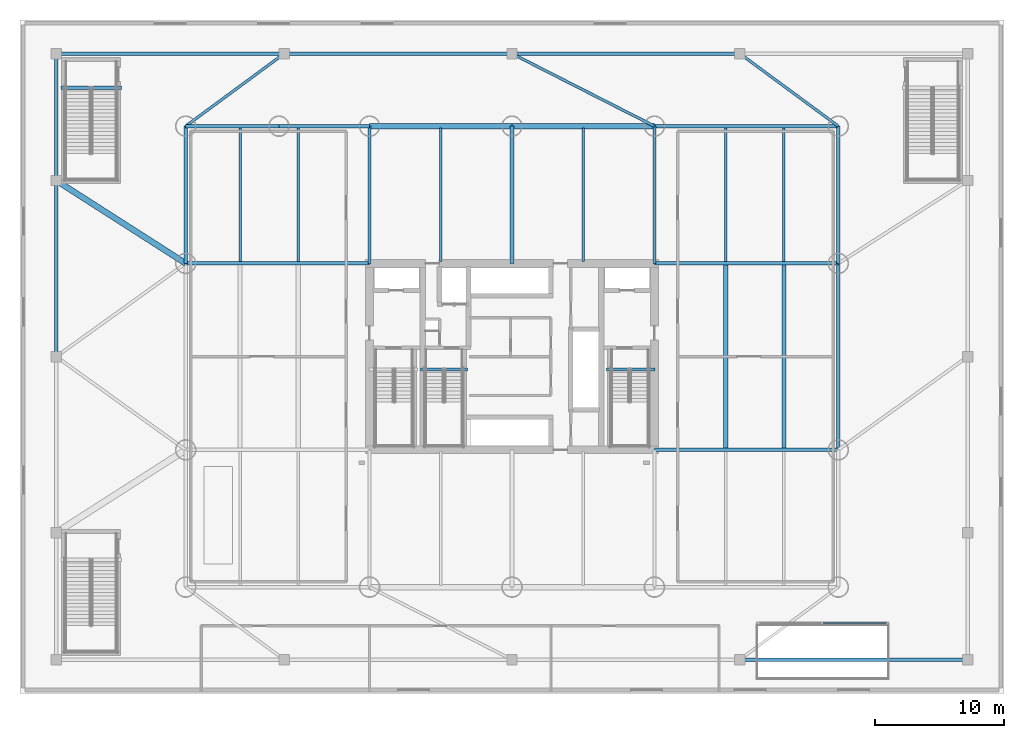
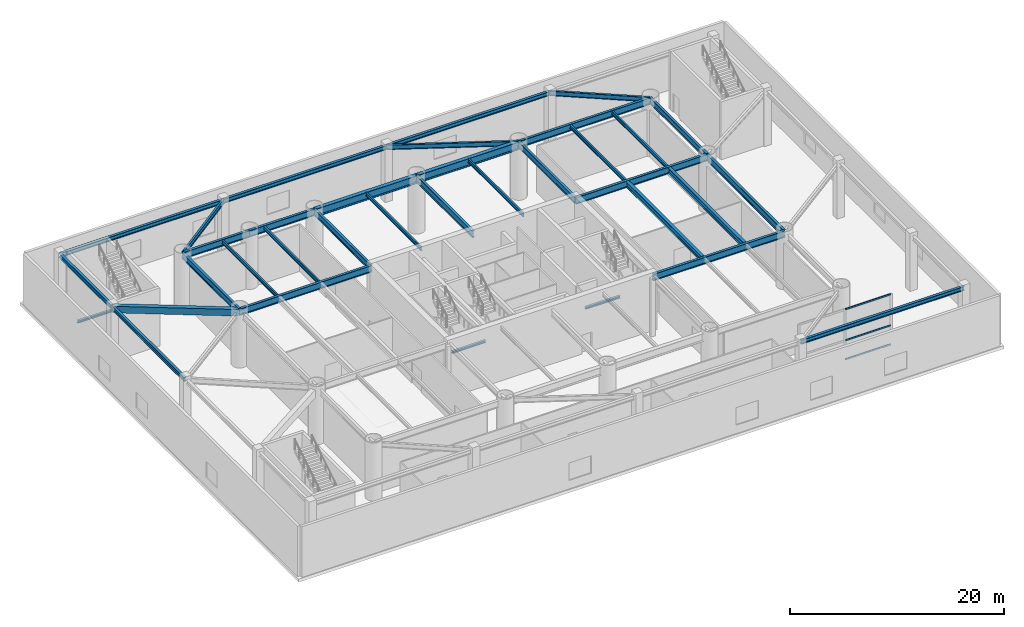
# One storey, part 3 of 16: 35 beams, 3 members, 1 element without a shape of its own.
"""IFC4 building model written with IfcOpenShell, lengths in metres."""

from ifc_helpers import new_model, si_unit, direction, frame, origin, origin_2d, place, context, subcontext, project, spatial, rectangle, hollow_rectangle, i_section, extrude, material, layer, layer_set, material_profile, profile_set, type_object, element, aggregate, save


model = new_model("IFC4")

# Units and contexts
model_context = context("Model", 3, precision=1e-05, world=origin(), true_north=direction((0.0, 1.0)))
body_context = subcontext(model_context, "Body", "Model", "MODEL_VIEW")
ifc_project = project(units=[si_unit("LENGTHUNIT", "METRE"), si_unit("AREAUNIT", "SQUARE_METRE"), si_unit("VOLUMEUNIT", "CUBIC_METRE"), si_unit("PLANEANGLEUNIT", "RADIAN"), si_unit("MASSUNIT", "GRAM", prefix="KILO")], contexts=[model_context])

# Site, building, storey
site_placement = place(None, origin())
site = spatial("IfcSite", under=ifc_project, at=site_placement, CompositionType="ELEMENT")
building_placement = place(site_placement, origin())
building = spatial("IfcBuilding", under=site, at=building_placement, Name="Bramvorn Convention Spire", CompositionType="ELEMENT")
storey_placement = place(building_placement, frame((0.0, 0.0, 12.0)))
storey = spatial("IfcBuildingStorey", under=building, at=storey_placement, Name="L02", CompositionType="ELEMENT", Elevation=12.0)

# Beams
ifc_material_1 = material(Name="Concrete C50/60", Category="concrete")
ifc_material_profile_1 = material_profile(ifc_material_1, rectangle(XDim=0.449951171875, YDim=0.75, at=origin_2d()))
ifc_profile_set_1 = profile_set([ifc_material_profile_1], Name="Concrete C50/60 - RC450X750")
beam_type_1 = type_object("IfcBeamType", Name="BM-RC450X750", PredefinedType="BEAM", material=ifc_profile_set_1)
beam_1_placement = place(storey_placement, frame((2.800048828125, 39.60009765625, 5.875), z_axis=(0.842265798855, -0.539062449145, 0.0), x_axis=(0.539062449145, 0.842265798855, 0.0)))
element("IfcBeam", 1, at=beam_1_placement, inside=storey, type_object=beam_type_1, Name="L02 reinforced concrete marshalling tie beam 2", PredefinedType="BEAM", context=body_context, shape_type="SweptSolid", body=[
    extrude(rectangle(XDim=0.449951171875, YDim=0.75, at=origin_2d()), origin(), (0.0, 0.0, 1.0), 11.872802734375),
])
ifc_material_2 = material(Name="Steel CSA G40.21 Grade 350 (350W)", Category="steel")
ifc_material_profile_2 = material_profile(ifc_material_2, i_section(OverallWidth=0.25390625, OverallDepth=0.2529296875, WebThickness=0.008544921875, FlangeThickness=0.01416015625, FilletRadius=0.011962890625, at=origin_2d()))
ifc_profile_set_2 = profile_set([ifc_material_profile_2], Name="Steel CSA G40.21 Grade 350 (350W) - W250X73")
beam_type_2 = type_object("IfcBeamType", Name="BM-W250X73", PredefinedType="BEAM", material=ifc_profile_set_2)
beam_2_placement = place(storey_placement, frame((45.31005859375, 25.010009765625, -0.12646484375), z_axis=(1.0, 0.0, 0.0), x_axis=(0.0, 1.0, 0.0)))
element("IfcBeam", 2, at=beam_2_placement, inside=storey, type_object=beam_type_2, Name="L02 ST2 stair arrival header beam", PredefinedType="BEAM", context=body_context, shape_type="SweptSolid", body=[
    extrude(i_section(OverallWidth=0.25390625, OverallDepth=0.2529296875, WebThickness=0.008544921875, FlangeThickness=0.01416015625, FilletRadius=0.011962890625, at=origin_2d()), origin(), (0.0, 0.0, 1.0), 3.739990234375),
])
beam_3_placement = place(storey_placement, frame((30.949951171875, 25.010009765625, -0.12646484375), z_axis=(1.0, 0.0, 0.0), x_axis=(0.0, 1.0, 0.0)))
element("IfcBeam", 3, at=beam_3_placement, inside=storey, type_object=beam_type_2, Name="L02 ST3 stair arrival header beam", PredefinedType="BEAM", context=body_context, shape_type="SweptSolid", body=[
    extrude(i_section(OverallWidth=0.25390625, OverallDepth=0.2529296875, WebThickness=0.008544921875, FlangeThickness=0.01416015625, FilletRadius=0.011962890625, at=origin_2d()), origin(), (0.0, 0.0, 1.0), 3.610107421875),
])
beam_4_placement = place(storey_placement, frame((3.14990234375, 46.760009765625, -0.12646484375), z_axis=(1.0, 0.0, 0.0), x_axis=(0.0, 1.0, 0.0)))
element("IfcBeam", 4, at=beam_4_placement, inside=storey, type_object=beam_type_2, Name="L02 ST6 stair arrival header beam", PredefinedType="BEAM", context=body_context, shape_type="SweptSolid", body=[
    extrude(i_section(OverallWidth=0.25390625, OverallDepth=0.2529296875, WebThickness=0.008544921875, FlangeThickness=0.01416015625, FilletRadius=0.011962890625, at=origin_2d()), origin(), (0.0, 0.0, 1.0), 4.68017578125),
])
ifc_material_profile_3 = material_profile(ifc_material_2, i_section(OverallWidth=0.180908203125, OverallDepth=0.4169921875, WebThickness=0.010986328125, FlangeThickness=0.018310546875, FilletRadius=0.01611328125, at=origin_2d()))
ifc_profile_set_3 = profile_set([ifc_material_profile_3], Name="Steel CSA G40.21 Grade 350 (350W) - W410X85")
beam_type_3 = type_object("IfcBeamType", Name="BM-W410X85", PredefinedType="JOIST", material=ifc_profile_set_3)
for number, where, z_axis, x_axis, name in (
    (5, (17.0, 33.340087890625, 6.04150390625), (0.0, 1.0, 0.0), (-1.0, 0.0, 0.0), "L02 side hall joist N-1"),
    (6, (21.5, 33.340087890625, 6.04150390625), (0.0, 1.0, 0.0), (-1.0, 0.0, 0.0), "L02 side hall joist N-2"),
    (7, (32.5, 33.340087890625, 6.04150390625), (0.0, 1.0, 0.0), (-1.0, 0.0, 0.0), "L02 north hall composite joist 3"),
    (8, (43.5, 33.340087890625, 6.04150390625), (0.0, 1.0, 0.0), (-1.0, 0.0, 0.0), "L02 north hall composite joist 4"),
    (9, (54.5, 33.340087890625, 6.04150390625), (0.0, 1.0, 0.0), (-1.0, 0.0, 0.0), "L02 side hall joist N-5"),
    (10, (59.0, 33.340087890625, 6.04150390625), (0.0, 1.0, 0.0), (-1.0, 0.0, 0.0), "L02 side hall joist N-6"),
):
    element("IfcBeam", number, at=place(storey_placement, frame(where, z_axis=z_axis, x_axis=x_axis)), inside=storey, type_object=beam_type_3, Name=name, PredefinedType="JOIST", context=body_context, shape_type="SweptSolid", body=[
        extrude(i_section(OverallWidth=0.180908203125, OverallDepth=0.4169921875, WebThickness=0.010986328125, FlangeThickness=0.018310546875, FilletRadius=0.01611328125, at=origin_2d()), origin(), (0.0, 0.0, 1.0), 10.31982421875),
    ])
ifc_material_profile_4 = material_profile(ifc_material_2, i_section(OverallWidth=0.283935546875, OverallDepth=0.47607421875, WebThickness=0.014892578125, FlangeThickness=0.02392578125, FilletRadius=0.01806640625, at=origin_2d()))
ifc_profile_set_4 = profile_set([ifc_material_profile_4], Name="Steel CSA G40.21 Grade 350 (350W) - W460X158")
beam_type_4 = type_object("IfcBeamType", Name="BM-W460X158", PredefinedType="SPANDREL", material=ifc_profile_set_4)
beam_5_placement = place(storey_placement, frame((55.60009765625, 2.60009765625, 6.011962890625), z_axis=(1.0, 0.0, 0.0), x_axis=(0.0, 1.0, 0.0)))
element("IfcBeam", 11, at=beam_5_placement, inside=storey, type_object=beam_type_4, Name="L02 podium spandrel beam 04", PredefinedType="SPANDREL", context=body_context, shape_type="SweptSolid", body=[
    extrude(i_section(OverallWidth=0.283935546875, OverallDepth=0.47607421875, WebThickness=0.014892578125, FlangeThickness=0.02392578125, FilletRadius=0.01806640625, at=origin_2d()), origin(), (0.0, 0.0, 1.0), 17.599853515625),
])
for number, where, z_axis, x_axis, name in (
    (12, (55.60009765625, 49.39990234375, 6.011962890625), (-1.0, 0.0, 0.0), (0.0, -1.0, 0.0), "L02 podium spandrel beam 10"),
    (13, (38.0, 49.39990234375, 6.011962890625), (-1.0, 0.0, 0.0), (0.0, -1.0, 0.0), "L02 podium spandrel beam 11"),
):
    element("IfcBeam", number, at=place(storey_placement, frame(where, z_axis=z_axis, x_axis=x_axis)), inside=storey, type_object=beam_type_4, Name=name, PredefinedType="SPANDREL", context=body_context, shape_type="SweptSolid", body=[
        extrude(i_section(OverallWidth=0.283935546875, OverallDepth=0.47607421875, WebThickness=0.014892578125, FlangeThickness=0.02392578125, FilletRadius=0.01806640625, at=origin_2d()), origin(), (0.0, 0.0, 1.0), 17.60009765625),
    ])
beam_6_placement = place(storey_placement, frame((20.39990234375, 49.39990234375, 6.011962890625), z_axis=(-1.0, 0.0, 0.0), x_axis=(0.0, -1.0, 0.0)))
element("IfcBeam", 14, at=beam_6_placement, inside=storey, type_object=beam_type_4, Name="L02 podium spandrel beam 12", PredefinedType="SPANDREL", context=body_context, shape_type="SweptSolid", body=[
    extrude(i_section(OverallWidth=0.283935546875, OverallDepth=0.47607421875, WebThickness=0.014892578125, FlangeThickness=0.02392578125, FilletRadius=0.01806640625, at=origin_2d()), origin(), (0.0, 0.0, 1.0), 17.599853515625),
])
beam_7_placement = place(storey_placement, frame((2.800048828125, 49.39990234375, 6.011962890625), z_axis=(0.0, -1.0, 0.0), x_axis=(1.0, 0.0, 0.0)))
element("IfcBeam", 15, at=beam_7_placement, inside=storey, type_object=beam_type_4, Name="L02 podium spandrel beam 13", PredefinedType="SPANDREL", context=body_context, shape_type="SweptSolid", body=[
    extrude(i_section(OverallWidth=0.283935546875, OverallDepth=0.47607421875, WebThickness=0.014892578125, FlangeThickness=0.02392578125, FilletRadius=0.01806640625, at=origin_2d()), origin(), (0.0, 0.0, 1.0), 9.7998046875),
])
beam_8_placement = place(storey_placement, frame((2.800048828125, 39.60009765625, 6.011962890625), z_axis=(0.0, -1.0, 0.0), x_axis=(1.0, 0.0, 0.0)))
element("IfcBeam", 16, at=beam_8_placement, inside=storey, type_object=beam_type_4, Name="L02 podium spandrel beam 14", PredefinedType="SPANDREL", context=body_context, shape_type="SweptSolid", body=[
    extrude(i_section(OverallWidth=0.283935546875, OverallDepth=0.47607421875, WebThickness=0.014892578125, FlangeThickness=0.02392578125, FilletRadius=0.01806640625, at=origin_2d()), origin(), (0.0, 0.0, 1.0), 13.60009765625),
])
ifc_material_profile_5 = material_profile(ifc_material_2, i_section(OverallWidth=0.2119140625, OverallDepth=0.5439453125, WebThickness=0.01318359375, FlangeThickness=0.021240234375, FilletRadius=0.01904296875, at=origin_2d()))
ifc_profile_set_5 = profile_set([ifc_material_profile_5], Name="Steel CSA G40.21 Grade 350 (350W) - W530X123")
beam_type_5 = type_object("IfcBeamType", Name="BM-W530X123", PredefinedType="BEAM", material=ifc_profile_set_5)
beam_9_placement = place(storey_placement, frame((20.39990234375, 49.39990234375, 5.97802734375), z_axis=(-0.805057787445, -0.593196391488, 0.0), x_axis=(0.593196391488, -0.805057787445, 0.0)))
element("IfcBeam", 17, at=beam_9_placement, inside=storey, type_object=beam_type_5, Name="L02 podium primary girder 31", PredefinedType="BEAM", context=body_context, shape_type="SweptSolid", body=[
    extrude(i_section(OverallWidth=0.2119140625, OverallDepth=0.5439453125, WebThickness=0.01318359375, FlangeThickness=0.021240234375, FilletRadius=0.01904296875, at=origin_2d()), origin(), (0.0, 0.0, 1.0), 9.440185546875),
])
beam_10_placement = place(storey_placement, frame((38.0, 49.39990234375, 5.97802734375), z_axis=(0.891167913636, -0.453673615835, 0.0), x_axis=(0.453673615835, 0.891167913636, 0.0)))
element("IfcBeam", 18, at=beam_10_placement, inside=storey, type_object=beam_type_5, Name="L02 podium primary girder 32", PredefinedType="BEAM", context=body_context, shape_type="SweptSolid", body=[
    extrude(i_section(OverallWidth=0.2119140625, OverallDepth=0.5439453125, WebThickness=0.01318359375, FlangeThickness=0.021240234375, FilletRadius=0.01904296875, at=origin_2d()), origin(), (0.0, 0.0, 1.0), 12.34326171875),
])
beam_11_placement = place(storey_placement, frame((55.60009765625, 49.39990234375, 5.97802734375), z_axis=(0.805057787445, -0.593196391488, 0.0), x_axis=(0.593196391488, 0.805057787445, 0.0)))
element("IfcBeam", 19, at=beam_11_placement, inside=storey, type_object=beam_type_5, Name="L02 podium primary girder 33", PredefinedType="BEAM", context=body_context, shape_type="SweptSolid", body=[
    extrude(i_section(OverallWidth=0.2119140625, OverallDepth=0.5439453125, WebThickness=0.01318359375, FlangeThickness=0.021240234375, FilletRadius=0.01904296875, at=origin_2d()), origin(), (0.0, 0.0, 1.0), 9.440185546875),
])
ifc_material_profile_6 = material_profile(ifc_material_2, i_section(OverallWidth=0.327880859375, OverallDepth=0.6279296875, WebThickness=0.0166015625, FlangeThickness=0.027587890625, FilletRadius=0.02001953125, at=origin_2d()))
ifc_profile_set_6 = profile_set([ifc_material_profile_6], Name="Steel CSA G40.21 Grade 350 (350W) - W610X217")
beam_type_6 = type_object("IfcBeamType", Name="BM-W610X217", PredefinedType="BEAM", material=ifc_profile_set_6)
for number, where, z_axis, x_axis, name in (
    (20, (54.5, 18.93994140625, 5.93603515625), (0.0, 1.0, 0.0), (-1.0, 0.0, 0.0), "L02 main exhibition clear-span joist M-5"),
    (21, (59.0, 18.93994140625, 5.93603515625), (0.0, 1.0, 0.0), (-1.0, 0.0, 0.0), "L02 main exhibition clear-span joist M-6"),
):
    element("IfcBeam", number, at=place(storey_placement, frame(where, z_axis=z_axis, x_axis=x_axis)), inside=storey, type_object=beam_type_6, Name=name, PredefinedType="BEAM", context=body_context, shape_type="SweptSolid", body=[
        extrude(i_section(OverallWidth=0.327880859375, OverallDepth=0.6279296875, WebThickness=0.0166015625, FlangeThickness=0.027587890625, FilletRadius=0.02001953125, at=origin_2d()), origin(), (0.0, 0.0, 1.0), 14.1201171875),
    ])
ifc_material_profile_7 = material_profile(ifc_material_2, i_section(OverallWidth=0.256103515625, OverallDepth=0.693115234375, WebThickness=0.014404296875, FlangeThickness=0.023681640625, FilletRadius=0.02197265625, at=origin_2d()))
ifc_profile_set_7 = profile_set([ifc_material_profile_7], Name="Steel CSA G40.21 Grade 350 (350W) - W690X170")
beam_type_7 = type_object("IfcBeamType", Name="BM-W690X170", PredefinedType="BEAM", material=ifc_profile_set_7)
for number, where, z_axis, x_axis, name in (
    (22, (12.800048828125, 33.199951171875, 5.903564453125), (0.0, 1.0, 0.0), (-1.0, 0.0, 0.0), "L02 podium primary girder 14"),
    (23, (63.199951171875, 33.199951171875, 5.903564453125), (0.0, 1.0, 0.0), (-1.0, 0.0, 0.0), "L02 podium primary girder 17"),
    (24, (27.0, 33.199951171875, 5.903564453125), (0.0, 1.0, 0.0), (-1.0, 0.0, 0.0), "L02 podium primary girder 24"),
    (25, (49.0, 33.199951171875, 5.903564453125), (0.0, 1.0, 0.0), (-1.0, 0.0, 0.0), "L02 podium primary girder 25"),
):
    element("IfcBeam", number, at=place(storey_placement, frame(where, z_axis=z_axis, x_axis=x_axis)), inside=storey, type_object=beam_type_7, Name=name, PredefinedType="BEAM", context=body_context, shape_type="SweptSolid", body=[
        extrude(i_section(OverallWidth=0.256103515625, OverallDepth=0.693115234375, WebThickness=0.014404296875, FlangeThickness=0.023681640625, FilletRadius=0.02197265625, at=origin_2d()), origin(), (0.0, 0.0, 1.0), 10.60009765625),
    ])
ifc_material_profile_8 = material_profile(ifc_material_2, i_section(OverallWidth=0.27099609375, OverallDepth=0.76806640625, WebThickness=0.0166015625, FlangeThickness=0.02685546875, FilletRadius=0.02197265625, at=origin_2d()))
ifc_profile_set_8 = profile_set([ifc_material_profile_8], Name="Steel CSA G40.21 Grade 350 (350W) - W760X220")
beam_type_8 = type_object("IfcBeamType", Name="BM-W760X220", PredefinedType="BEAM", material=ifc_profile_set_8)
beam_12_placement = place(storey_placement, frame((12.800048828125, 43.800048828125, 5.865966796875), z_axis=(1.0, 0.0, 0.0), x_axis=(0.0, 1.0, 0.0)))
element("IfcBeam", 26, at=beam_12_placement, inside=storey, type_object=beam_type_8, Name="L02 podium primary girder 05", PredefinedType="BEAM", context=body_context, shape_type="SweptSolid", body=[
    extrude(i_section(OverallWidth=0.27099609375, OverallDepth=0.76806640625, WebThickness=0.0166015625, FlangeThickness=0.02685546875, FilletRadius=0.02197265625, at=origin_2d()), origin(), (0.0, 0.0, 1.0), 7.199951171875),
])
beam_13_placement = place(storey_placement, frame((20.0, 43.800048828125, 5.865966796875), z_axis=(1.0, 0.0, 0.0), x_axis=(0.0, 1.0, 0.0)))
element("IfcBeam", 27, at=beam_13_placement, inside=storey, type_object=beam_type_8, Name="L02 podium primary girder 06", PredefinedType="BEAM", context=body_context, shape_type="SweptSolid", body=[
    extrude(i_section(OverallWidth=0.27099609375, OverallDepth=0.76806640625, WebThickness=0.0166015625, FlangeThickness=0.02685546875, FilletRadius=0.02197265625, at=origin_2d()), origin(), (0.0, 0.0, 1.0), 7.0),
])
beam_14_placement = place(storey_placement, frame((38.0, 33.199951171875, 5.865966796875), z_axis=(0.0, 1.0, 0.0), x_axis=(-1.0, 0.0, 0.0)))
element("IfcBeam", 28, at=beam_14_placement, inside=storey, type_object=beam_type_8, Name="L02 podium primary girder 10", PredefinedType="BEAM", context=body_context, shape_type="SweptSolid", body=[
    extrude(i_section(OverallWidth=0.27099609375, OverallDepth=0.76806640625, WebThickness=0.0166015625, FlangeThickness=0.02685546875, FilletRadius=0.02197265625, at=origin_2d()), origin(), (0.0, 0.0, 1.0), 10.60009765625),
])
beam_15_placement = place(storey_placement, frame((49.0, 43.800048828125, 5.865966796875), z_axis=(1.0, 0.0, 0.0), x_axis=(0.0, 1.0, 0.0)))
element("IfcBeam", 29, at=beam_15_placement, inside=storey, type_object=beam_type_8, Name="L02 podium primary girder 11", PredefinedType="BEAM", context=body_context, shape_type="SweptSolid", body=[
    extrude(i_section(OverallWidth=0.27099609375, OverallDepth=0.76806640625, WebThickness=0.0166015625, FlangeThickness=0.02685546875, FilletRadius=0.02197265625, at=origin_2d()), origin(), (0.0, 0.0, 1.0), 14.199951171875),
])
beam_16_placement = place(storey_placement, frame((63.199951171875, 18.800048828125, 5.865966796875), z_axis=(0.0, 1.0, 0.0), x_axis=(-1.0, 0.0, 0.0)))
element("IfcBeam", 30, at=beam_16_placement, inside=storey, type_object=beam_type_8, Name="L02 podium primary girder 16", PredefinedType="BEAM", context=body_context, shape_type="SweptSolid", body=[
    extrude(i_section(OverallWidth=0.27099609375, OverallDepth=0.76806640625, WebThickness=0.0166015625, FlangeThickness=0.02685546875, FilletRadius=0.02197265625, at=origin_2d()), origin(), (0.0, 0.0, 1.0), 14.39990234375),
])
for number, where, z_axis, x_axis, name in (
    (31, (49.0, 18.800048828125, 5.865966796875), (1.0, 0.0, 0.0), (0.0, 1.0, 0.0), "L02 podium primary girder 19"),
    (32, (12.800048828125, 33.199951171875, 5.865966796875), (1.0, 0.0, 0.0), (0.0, 1.0, 0.0), "L02 podium primary girder 20"),
    (33, (49.0, 33.199951171875, 5.865966796875), (1.0, 0.0, 0.0), (0.0, 1.0, 0.0), "L02 podium primary girder 21"),
):
    element("IfcBeam", number, at=place(storey_placement, frame(where, z_axis=z_axis, x_axis=x_axis)), inside=storey, type_object=beam_type_8, Name=name, PredefinedType="BEAM", context=body_context, shape_type="SweptSolid", body=[
        extrude(i_section(OverallWidth=0.27099609375, OverallDepth=0.76806640625, WebThickness=0.0166015625, FlangeThickness=0.02685546875, FilletRadius=0.02197265625, at=origin_2d()), origin(), (0.0, 0.0, 1.0), 14.199951171875),
    ])
ifc_material_profile_9 = material_profile(ifc_material_2, i_section(OverallWidth=0.41796875, OverallDepth=0.912109375, WebThickness=0.019287109375, FlangeThickness=0.031982421875, FilletRadius=0.02392578125, at=origin_2d()))
ifc_profile_set_9 = profile_set([ifc_material_profile_9], Name="Steel CSA G40.21 Grade 350 (350W) - W920X342")
beam_type_9 = type_object("IfcBeamType", Name="BM-W920X342", PredefinedType="BEAM", material=ifc_profile_set_9)
for number, where, z_axis, x_axis, name in (
    (34, (27.0, 43.800048828125, 5.7939453125), (1.0, 0.0, 0.0), (0.0, 1.0, 0.0), "L02 podium primary girder 07"),
    (35, (38.0, 43.800048828125, 5.7939453125), (1.0, 0.0, 0.0), (0.0, 1.0, 0.0), "L02 podium primary girder 08"),
):
    element("IfcBeam", number, at=place(storey_placement, frame(where, z_axis=z_axis, x_axis=x_axis)), inside=storey, type_object=beam_type_9, Name=name, PredefinedType="BEAM", context=body_context, shape_type="SweptSolid", body=[
        extrude(i_section(OverallWidth=0.41796875, OverallDepth=0.912109375, WebThickness=0.019287109375, FlangeThickness=0.031982421875, FilletRadius=0.02392578125, at=origin_2d()), origin(), (0.0, 0.0, 1.0), 11.0),
    ])

# Curtain wall, members
ifc_material_3 = material(Name="Anodised Bronze Unitised Curtain Wall", Category="aluminium")
ifc_layer = layer(ifc_material_3, 0.219970703125)
ifc_layer_set = layer_set([ifc_layer], Name="Anodised Bronze Unitised Curtain Wall - CW-POD-LANCET")
curtain_wall_type = type_object("IfcCurtainWallType", Name="CW-POD-LANCET", PredefinedType="USERDEFINED", material=ifc_layer_set)
curtain_wall_placement = place(storey_placement, origin())
curtain_wall = element("IfcCurtainWall", 36, at=curtain_wall_placement, inside=storey, type_object=curtain_wall_type, Name="L02 SE colonnade lancet curtain wall", ObjectType="UNITISED CURTAIN WALL", PredefinedType="USERDEFINED")
ifc_material_4 = material(Name="Anodised Bronze Aluminium 6063-T6", Category="aluminium")
ifc_material_profile_10 = material_profile(ifc_material_4, hollow_rectangle(XDim=0.090087890625, YDim=0.179931640625, WallThickness=0.00439453125, InnerFilletRadius=0.0009765625, OuterFilletRadius=0.00439453125, at=origin_2d()))
ifc_profile_set_10 = profile_set([ifc_material_profile_10], Name="Anodised Bronze Aluminium 6063-T6 - CWT90X180")
member_type = type_object("IfcMemberType", Name="CW-TRN-180", PredefinedType="USERDEFINED", material=ifc_profile_set_10)
member_1_placement = place(storey_placement, frame((62.030029296875, 5.449951171875, 0.030029296875), z_axis=(1.0, 0.0, 0.0), x_axis=(0.0, 1.0, 0.0)))
member_1 = element("IfcMember", 37, at=member_1_placement, type_object=member_type, Name="CW1 transom 2.1", ObjectType="TRANSOM", PredefinedType="USERDEFINED", context=body_context, shape_type="SweptSolid", body=[
    extrude(hollow_rectangle(XDim=0.090087890625, YDim=0.179931640625, WallThickness=0.00439453125, InnerFilletRadius=0.0009765625, OuterFilletRadius=0.00439453125, at=origin_2d()), origin(), (0.0, 0.0, 1.0), 4.909912109375),
])
member_2_placement = place(storey_placement, frame((62.030029296875, 5.449951171875, 2.199951171875), z_axis=(1.0, 0.0, 0.0), x_axis=(0.0, 1.0, 0.0)))
member_2 = element("IfcMember", 38, at=member_2_placement, type_object=member_type, Name="CW1 transom 2.2", ObjectType="TRANSOM", PredefinedType="USERDEFINED", context=body_context, shape_type="SweptSolid", body=[
    extrude(hollow_rectangle(XDim=0.090087890625, YDim=0.179931640625, WallThickness=0.00439453125, InnerFilletRadius=0.0009765625, OuterFilletRadius=0.00439453125, at=origin_2d()), origin(), (0.0, 0.0, 1.0), 4.909912109375),
])
member_3_placement = place(storey_placement, frame((62.030029296875, 5.449951171875, 5.72998046875), z_axis=(1.0, 0.0, 0.0), x_axis=(0.0, 1.0, 0.0)))
member_3 = element("IfcMember", 39, at=member_3_placement, type_object=member_type, Name="CW1 transom 2.3", ObjectType="TRANSOM", PredefinedType="USERDEFINED", context=body_context, shape_type="SweptSolid", body=[
    extrude(hollow_rectangle(XDim=0.090087890625, YDim=0.179931640625, WallThickness=0.00439453125, InnerFilletRadius=0.0009765625, OuterFilletRadius=0.00439453125, at=origin_2d()), origin(), (0.0, 0.0, 1.0), 4.909912109375),
])
aggregate(curtain_wall, [member_1, member_2, member_3])

save(model, "model.ifc")
